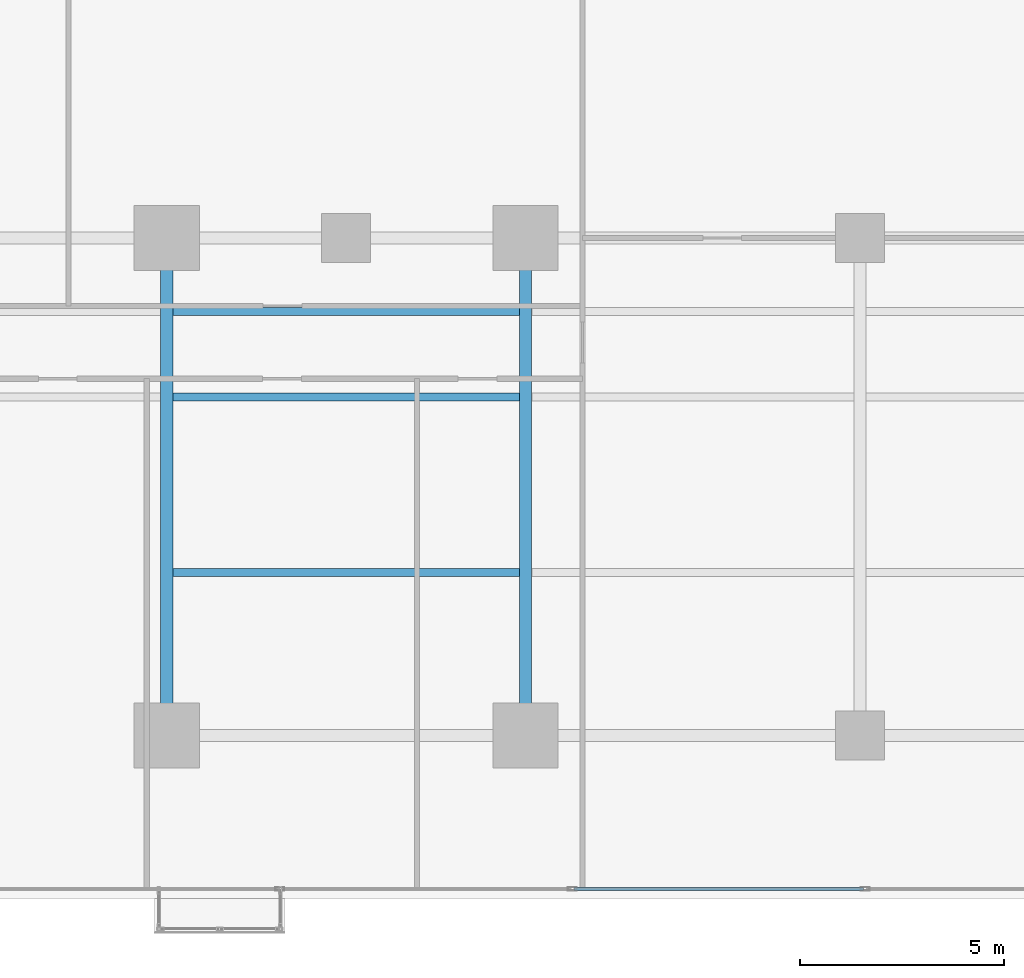
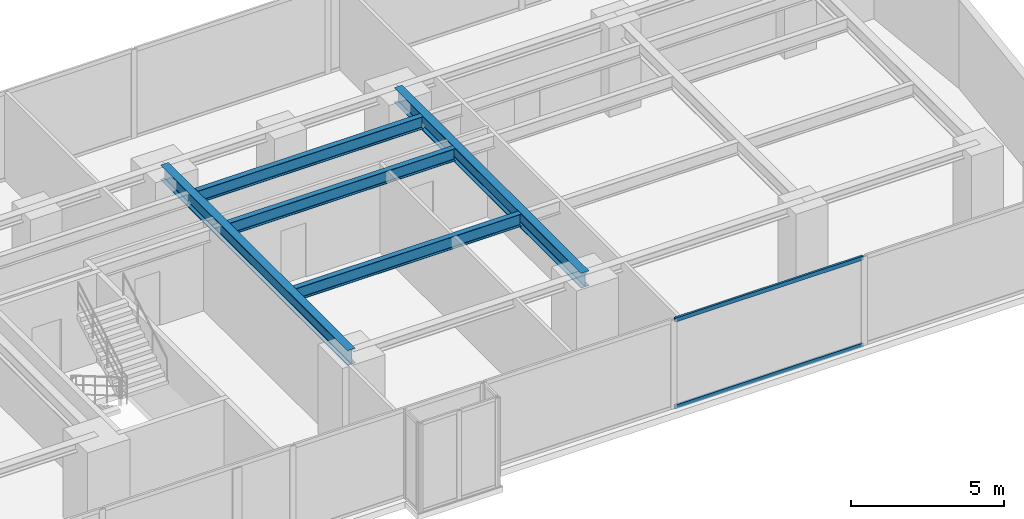
# One storey, part 10 of 30: 5 beams, 2 members, 1 element without a shape of its own.
"""IFC4 building model written with IfcOpenShell, lengths in metres."""

from ifc_helpers import new_model, si_unit, direction, frame, origin, origin_with_axes, origin_2d, place, context, subcontext, project, spatial, hollow_rectangle, i_section, extrude, source, transform, mapped, material, layer, layer_set, material_profile, profile_set, type_object, element, aggregate, save


model = new_model("IFC4")

# Units and contexts
model_context = context("Model", 3, precision=1e-05, world=origin(), true_north=direction((0.0, 1.0)))
body_context = subcontext(model_context, "Body", "Model", "MODEL_VIEW")
ifc_project = project(units=[si_unit("LENGTHUNIT", "METRE"), si_unit("AREAUNIT", "SQUARE_METRE"), si_unit("VOLUMEUNIT", "CUBIC_METRE"), si_unit("PLANEANGLEUNIT", "RADIAN"), si_unit("MASSUNIT", "GRAM", prefix="KILO")], contexts=[model_context])

# Site, building, storey
site_placement = place(None, origin())
site = spatial("IfcSite", under=ifc_project, at=site_placement, CompositionType="ELEMENT")
building_placement = place(site_placement, origin())
building = spatial("IfcBuilding", under=site, at=building_placement, Name="Kolvaren Waterfront Exchange", CompositionType="ELEMENT")
storey_placement = place(building_placement, frame((0.0, 0.0, 71.39990234375)))
storey = spatial("IfcBuildingStorey", under=building, at=storey_placement, Name="L18", CompositionType="ELEMENT", Elevation=71.39990234375)

# Beams
ifc_material_1 = material(Name="Steel S355", Category="steel")
ifc_material_profile_1 = material_profile(ifc_material_1, i_section(OverallWidth=0.300048828125, OverallDepth=0.60009765625, WebThickness=0.015380859375, FlangeThickness=0.030029296875, FilletRadius=0.027099609375, at=origin_2d()), Name="HEB600")
ifc_profile_set_1 = profile_set([ifc_material_profile_1], Name="Steel S355")
beam_type_1 = type_object("IfcBeamType", Name="STR-BM-HEB600", PredefinedType="BEAM", material=ifc_profile_set_1)
for number, where, z_axis, x_axis, name in (
    (1, (36.800048828125, 5.199951171875, 3.239990234375), (0.0, 1.0, 0.0), (-1.0, 0.0, 0.0), "L18 east-arm transverse girder X36"),
    (2, (45.60009765625, 5.199951171875, 3.239990234375), (0.0, 1.0, 0.0), (-1.0, 0.0, 0.0), "L18 east-arm transverse girder X45"),
):
    element("IfcBeam", number, at=place(storey_placement, frame(where, z_axis=z_axis, x_axis=x_axis)), inside=storey, type_object=beam_type_1, Name=name, PredefinedType="BEAM", context=body_context, shape_type="SweptSolid", body=[
        extrude(i_section(OverallWidth=0.300048828125, OverallDepth=0.60009765625, WebThickness=0.015380859375, FlangeThickness=0.030029296875, FilletRadius=0.027099609375, at=origin_2d()), origin(), (0.0, 0.0, 1.0), 12.199951171875),
    ])
ifc_material_profile_2 = material_profile(ifc_material_1, i_section(OverallWidth=0.199951171875, OverallDepth=0.5, WebThickness=0.01025390625, FlangeThickness=0.01611328125, FilletRadius=0.02099609375, at=origin_2d()), Name="IPE500")
ifc_profile_set_2 = profile_set([ifc_material_profile_2], Name="Steel S355")
beam_type_2 = type_object("IfcBeamType", Name="STR-BM-IPE500", PredefinedType="JOIST", material=ifc_profile_set_2)
for number, where, z_axis, x_axis, name in (
    (3, (36.951904296875, 13.5, 3.2900390625), (1.0, 0.0, 0.0), (0.0, 1.0, 0.0), "L18 east-arm composite joist 3A"),
    (4, (36.951904296875, 15.60009765625, 3.2900390625), (1.0, 0.0, 0.0), (0.0, 1.0, 0.0), "L18 east-arm composite joist 3C"),
    (5, (36.951904296875, 9.199951171875, 3.2900390625), (1.0, 0.0, 0.0), (0.0, 1.0, 0.0), "L18 east-arm composite joist 3B"),
):
    element("IfcBeam", number, at=place(storey_placement, frame(where, z_axis=z_axis, x_axis=x_axis)), inside=storey, type_object=beam_type_2, Name=name, PredefinedType="JOIST", context=body_context, shape_type="SweptSolid", body=[
        extrude(i_section(OverallWidth=0.199951171875, OverallDepth=0.5, WebThickness=0.01025390625, FlangeThickness=0.01611328125, FilletRadius=0.02099609375, at=origin_2d()), origin(), (0.0, 0.0, 1.0), 8.49609375),
    ])

# Curtain wall, members
ifc_material_2 = material(Name="Anodised bronze aluminium 6063-T6", Category="aluminium")
ifc_layer = layer(ifc_material_2, 0.219970703125, Name="Anodised bronze aluminium 6063-T6")
ifc_layer_set = layer_set([ifc_layer], Name="Anodised bronze aluminium 6063-T6")
curtain_wall_type = type_object("IfcCurtainWallType", Name="ARC-CW-SYS1", PredefinedType="USERDEFINED", material=ifc_layer_set)
curtain_wall_placement = place(storey_placement, origin())
curtain_wall = element("IfcCurtainWall", 6, at=curtain_wall_placement, inside=storey, type_object=curtain_wall_type, Name="L18 stick curtain wall CW1 (CW-L18-S)", ObjectType="STICK CURTAIN WALL", PredefinedType="USERDEFINED")
ifc_material_3 = material(Name="Anodised aluminium 6063-T6", Category="aluminium")
ifc_material_profile_3 = material_profile(ifc_material_3, hollow_rectangle(XDim=0.074951171875, YDim=0.159912109375, WallThickness=0.00439453125, at=origin_2d()), Name="ALU-TRN-160x75x4.5")
ifc_profile_set_3 = profile_set([ifc_material_profile_3], Name="Anodised aluminium 6063-T6")
member_type = type_object("IfcMemberType", Name="ARC-CWT-160", PredefinedType="USERDEFINED", material=ifc_profile_set_3)
shared_shape = source(origin_with_axes(), body_context, "Body", "SweptSolid", [
    extrude(hollow_rectangle(XDim=0.074951171875, YDim=0.159912109375, WallThickness=0.00439453125, at=origin_2d()), origin(), (0.0, 0.0, 1.0), 7.094970703125),
])
member_1_placement = place(storey_placement, frame((46.7900390625, 1.43994140625, 0.03759765625), z_axis=(1.0, 0.0, 0.0), x_axis=(0.0, 1.0, 0.0)))
member_1 = element("IfcMember", 7, at=member_1_placement, type_object=member_type, Name="CW1 transom 7.1", ObjectType="TRANSOM", PredefinedType="USERDEFINED", context=body_context, shape_type="MappedRepresentation", body=[
    mapped(shared_shape, transform((0.0, 0.0, 0.0), x_axis=(1.0, 0.0, 0.0), y_axis=(0.0, 1.0, 0.0), z_axis=(0.0, 0.0, 1.0), scale=1.0)),
])
member_2_placement = place(storey_placement, frame((46.7900390625, 1.43994140625, 3.502685546875), z_axis=(1.0, 0.0, 0.0), x_axis=(0.0, 1.0, 0.0)))
member_2 = element("IfcMember", 8, at=member_2_placement, type_object=member_type, Name="CW1 transom 7.2", ObjectType="TRANSOM", PredefinedType="USERDEFINED", context=body_context, shape_type="MappedRepresentation", body=[
    mapped(shared_shape, transform((0.0, 0.0, 0.0), x_axis=(1.0, 0.0, 0.0), y_axis=(0.0, 1.0, 0.0), z_axis=(0.0, 0.0, 1.0), scale=1.0)),
])
aggregate(curtain_wall, [member_1, member_2])

save(model, "model.ifc")
